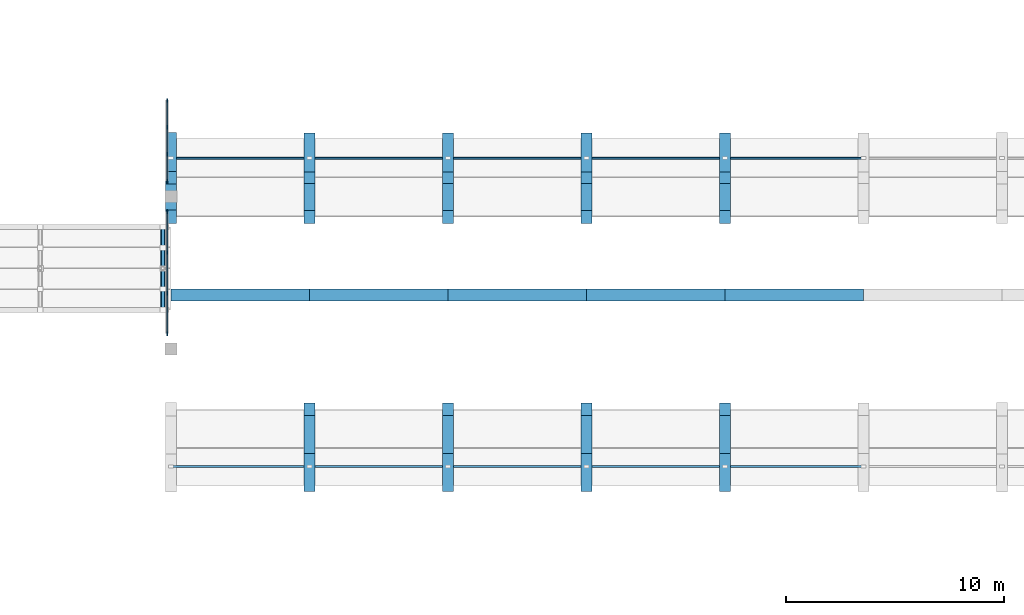
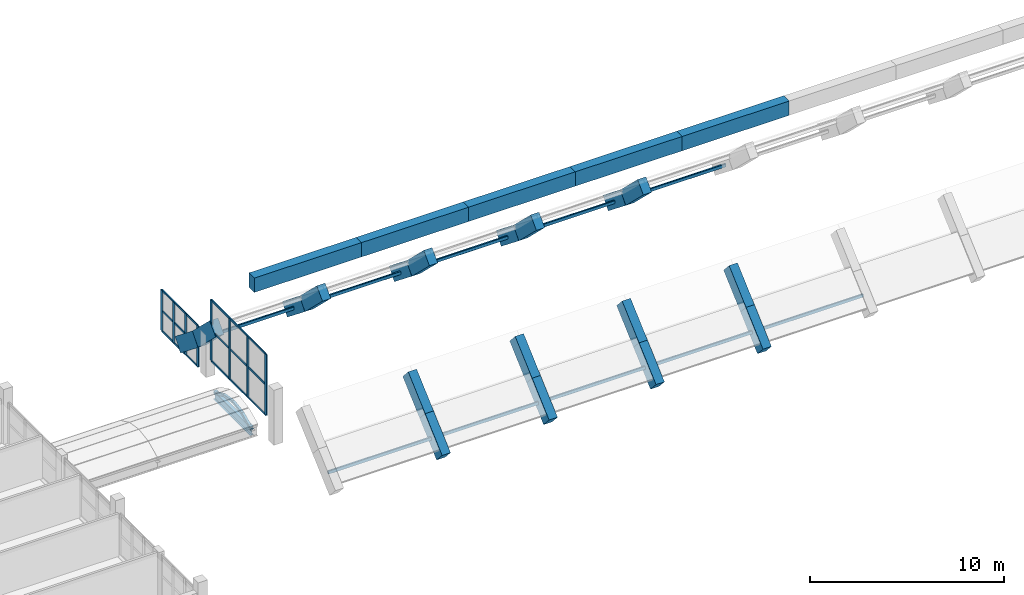
# One storey, part 5 of 48: 46 members, 6 beams, 2 elements without a shape of their own.
"""IFC4 building model written with IfcOpenShell, lengths in metres."""

from ifc_helpers import new_model, si_unit, direction, frame, origin, origin_2d, place, context, subcontext, project, spatial, rectangle, hollow_rectangle, i_section, extrude, material, layer, layer_set, material_profile, profile_set, type_object, element, aggregate, save


model = new_model("IFC4")

# Units and contexts
model_context = context("Model", 3, precision=1e-05, world=origin(), true_north=direction((0.0, 1.0)))
body_context = subcontext(model_context, "Body", "Model", "MODEL_VIEW")
ifc_project = project(units=[si_unit("LENGTHUNIT", "METRE"), si_unit("AREAUNIT", "SQUARE_METRE"), si_unit("VOLUMEUNIT", "CUBIC_METRE"), si_unit("PLANEANGLEUNIT", "RADIAN"), si_unit("MASSUNIT", "GRAM", prefix="KILO")], contexts=[model_context])

# Site, building, storey
site_placement = place(None, origin())
site = spatial("IfcSite", under=ifc_project, at=site_placement, CompositionType="ELEMENT")
building_placement = place(site_placement, origin())
building = spatial("IfcBuilding", under=site, at=building_placement, Name="Trellovar Central Fire Station", CompositionType="ELEMENT")
storey_placement = place(building_placement, frame((0.0, 0.0, 9.300048828125)))
storey = spatial("IfcBuildingStorey", under=building, at=storey_placement, Name="L03", CompositionType="ELEMENT", Elevation=9.300048828125)

# Beams
ifc_material_1 = material(Name="Concrete C40/50", Category="concrete")
ifc_material_profile_1 = material_profile(ifc_material_1, rectangle(XDim=0.550048828125, YDim=0.89990234375, at=origin_2d()), Name="RC550X900")
ifc_profile_set_1 = profile_set([ifc_material_profile_1], Name="Concrete C40/50")
beam_type_1 = type_object("IfcBeamType", Name="BM-RG3", PredefinedType="BEAM", material=ifc_profile_set_1)
beam_1_placement = place(storey_placement, frame((35.0, 24.47998046875, 8.449951171875), z_axis=(1.0, 0.0, 0.0), x_axis=(0.0, 1.0, 0.0)))
element("IfcBeam", 1, at=beam_1_placement, inside=storey, type_object=beam_type_1, Name="V1 vault crest ridge beam", PredefinedType="BEAM", context=body_context, shape_type="SweptSolid", body=[
    extrude(rectangle(XDim=0.550048828125, YDim=0.89990234375, at=origin_2d()), origin(), (0.0, 0.0, 1.0), 6.35009765625),
])
beam_2_placement = place(storey_placement, frame((41.35009765625, 24.47998046875, 8.449951171875), z_axis=(1.0, 0.0, 0.0), x_axis=(0.0, 1.0, 0.0)))
element("IfcBeam", 2, at=beam_2_placement, inside=storey, type_object=beam_type_1, Name="V1 vault crest ridge beam", PredefinedType="BEAM", context=body_context, shape_type="SweptSolid", body=[
    extrude(rectangle(XDim=0.550048828125, YDim=0.89990234375, at=origin_2d()), origin(), (0.0, 0.0, 1.0), 6.349853515625),
])
beam_3_placement = place(storey_placement, frame((47.699951171875, 24.47998046875, 8.449951171875), z_axis=(1.0, 0.0, 0.0), x_axis=(0.0, 1.0, 0.0)))
element("IfcBeam", 3, at=beam_3_placement, inside=storey, type_object=beam_type_1, Name="V1 vault crest ridge beam", PredefinedType="BEAM", context=body_context, shape_type="SweptSolid", body=[
    extrude(rectangle(XDim=0.550048828125, YDim=0.89990234375, at=origin_2d()), origin(), (0.0, 0.0, 1.0), 6.35009765625),
])
beam_4_placement = place(storey_placement, frame((54.050048828125, 24.47998046875, 8.449951171875), z_axis=(1.0, 0.0, 0.0), x_axis=(0.0, 1.0, 0.0)))
element("IfcBeam", 4, at=beam_4_placement, inside=storey, type_object=beam_type_1, Name="V1 vault crest ridge beam", PredefinedType="BEAM", context=body_context, shape_type="SweptSolid", body=[
    extrude(rectangle(XDim=0.550048828125, YDim=0.89990234375, at=origin_2d()), origin(), (0.0, 0.0, 1.0), 6.349853515625),
])
beam_5_placement = place(storey_placement, frame((60.39990234375, 24.47998046875, 8.449951171875), z_axis=(1.0, 0.0, 0.0), x_axis=(0.0, 1.0, 0.0)))
element("IfcBeam", 5, at=beam_5_placement, inside=storey, type_object=beam_type_1, Name="V1 vault crest ridge beam", PredefinedType="BEAM", context=body_context, shape_type="SweptSolid", body=[
    extrude(rectangle(XDim=0.550048828125, YDim=0.89990234375, at=origin_2d()), origin(), (0.0, 0.0, 1.0), 6.35009765625),
])
ifc_material_2 = material(Name="Steel ASTM A992 Grade 50", Category="steel")
ifc_material_profile_2 = material_profile(ifc_material_2, i_section(OverallWidth=0.209228515625, OverallDepth=0.533447265625, WebThickness=0.01025390625, FlangeThickness=0.015625, FilletRadius=0.013916015625, at=origin_2d()), Name="W21X62")
ifc_profile_set_2 = profile_set([ifc_material_profile_2], Name="Steel ASTM A992 Grade 50")
beam_type_2 = type_object("IfcBeamType", Name="BM-SW7", PredefinedType="BEAM", material=ifc_profile_set_2)
beam_6_placement = place(storey_placement, frame((34.6201171875, 23.800048828125, -0.316650390625), z_axis=(0.0, 1.0, 0.0), x_axis=(-1.0, 0.0, 0.0)))
element("IfcBeam", 6, at=beam_6_placement, inside=storey, type_object=beam_type_2, Name="Cloister bridge roof tie X=34.6", PredefinedType="BEAM", context=body_context, shape_type="SweptSolid", body=[
    extrude(i_section(OverallWidth=0.209228515625, OverallDepth=0.533447265625, WebThickness=0.01025390625, FlangeThickness=0.015625, FilletRadius=0.013916015625, at=origin_2d()), origin(), (0.0, 0.0, 1.0), 3.800048828125),
])

# Curtain wall, members
ifc_material_3 = material(Name="Thermally broken bronze anodized aluminum", Category="aluminium")
ifc_layer_1 = layer(ifc_material_3, 0.159912109375)
ifc_layer_set_1 = layer_set([ifc_layer_1], Name="Thermally broken bronze anodized aluminum")
curtain_wall_type_1 = type_object("IfcCurtainWallType", Name="CW-04", PredefinedType="NOTDEFINED", material=ifc_layer_set_1)
curtain_wall_1_placement = place(storey_placement, origin())
curtain_wall_1 = element("IfcCurtainWall", 7, at=curtain_wall_1_placement, inside=storey, type_object=curtain_wall_type_1, Name="V1 W ski-jump gable clerestory 2", PredefinedType="NOTDEFINED")
ifc_material_4 = material(Name="Thermally broken bronze anodized aluminum", Category="aluminium")
ifc_material_profile_3 = material_profile(ifc_material_4, rectangle(XDim=0.06494140625, YDim=0.175048828125, at=origin_2d()), Name="ALU65X175")
ifc_profile_set_3 = profile_set([ifc_material_profile_3], Name="Thermally broken bronze anodized aluminum")
member_type_1 = type_object("IfcMemberType", Name="CWM-2", PredefinedType="MULLION", material=ifc_profile_set_3)
member_1_placement = place(storey_placement, frame((34.820068359375, 22.699951171875, 1.300048828125), z_axis=(0.0, 0.0, 1.0), x_axis=(1.0, 0.0, 0.0)))
member_1 = element("IfcMember", 8, at=member_1_placement, type_object=member_type_1, Name="CW3-L03-0012 mullion 1", PredefinedType="MULLION", context=body_context, shape_type="SweptSolid", body=[
    extrude(rectangle(XDim=0.06494140625, YDim=0.175048828125, at=origin_2d()), origin(), (0.0, 0.0, 1.0), 3.7998046875),
])
member_2_placement = place(storey_placement, frame((34.820068359375, 24.566650390625, 1.300048828125), z_axis=(0.0, 0.0, 1.0), x_axis=(1.0, 0.0, 0.0)))
member_2 = element("IfcMember", 9, at=member_2_placement, type_object=member_type_1, Name="CW3-L03-0012 mullion 2", PredefinedType="MULLION", context=body_context, shape_type="SweptSolid", body=[
    extrude(rectangle(XDim=0.06494140625, YDim=0.175048828125, at=origin_2d()), origin(), (0.0, 0.0, 1.0), 3.7998046875),
])
member_3_placement = place(storey_placement, frame((34.820068359375, 26.433349609375, 1.300048828125), z_axis=(0.0, 0.0, 1.0), x_axis=(1.0, 0.0, 0.0)))
member_3 = element("IfcMember", 10, at=member_3_placement, type_object=member_type_1, Name="CW3-L03-0012 mullion 3", PredefinedType="MULLION", context=body_context, shape_type="SweptSolid", body=[
    extrude(rectangle(XDim=0.06494140625, YDim=0.175048828125, at=origin_2d()), origin(), (0.0, 0.0, 1.0), 3.7998046875),
])
member_4_placement = place(storey_placement, frame((34.820068359375, 28.300048828125, 1.300048828125), z_axis=(0.0, 0.0, 1.0), x_axis=(1.0, 0.0, 0.0)))
member_4 = element("IfcMember", 11, at=member_4_placement, type_object=member_type_1, Name="CW3-L03-0012 mullion 4", PredefinedType="MULLION", context=body_context, shape_type="SweptSolid", body=[
    extrude(rectangle(XDim=0.06494140625, YDim=0.175048828125, at=origin_2d()), origin(), (0.0, 0.0, 1.0), 3.7998046875),
])

ifc_material_5 = material(Name="Thermally broken bronze anodized aluminum", Category="aluminium")
ifc_layer_2 = layer(ifc_material_5, 0.159912109375)
ifc_layer_set_2 = layer_set([ifc_layer_2], Name="Thermally broken bronze anodized aluminum")
curtain_wall_type_2 = type_object("IfcCurtainWallType", Name="CW-08", PredefinedType="NOTDEFINED", material=ifc_layer_set_2)
curtain_wall_2_placement = place(storey_placement, origin())
curtain_wall_2 = element("IfcCurtainWall", 12, at=curtain_wall_2_placement, inside=storey, type_object=curtain_wall_type_2, Name="V1 W ski-jump gable clerestory 3", PredefinedType="NOTDEFINED")
member_5_placement = place(storey_placement, frame((34.820068359375, 29.699951171875, 0.099853515625), z_axis=(0.0, 0.0, 1.0), x_axis=(1.0, 0.0, 0.0)))
member_5 = element("IfcMember", 13, at=member_5_placement, type_object=member_type_1, Name="CW3-L03-0013 mullion 1", PredefinedType="MULLION", context=body_context, shape_type="SweptSolid", body=[
    extrude(rectangle(XDim=0.06494140625, YDim=0.175048828125, at=origin_2d()), origin(), (0.0, 0.0, 1.0), 2.550048828125),
])
member_6_placement = place(storey_placement, frame((34.820068359375, 30.933349609375, 0.099853515625), z_axis=(0.0, 0.0, 1.0), x_axis=(1.0, 0.0, 0.0)))
member_6 = element("IfcMember", 14, at=member_6_placement, type_object=member_type_1, Name="CW3-L03-0013 mullion 2", PredefinedType="MULLION", context=body_context, shape_type="SweptSolid", body=[
    extrude(rectangle(XDim=0.06494140625, YDim=0.175048828125, at=origin_2d()), origin(), (0.0, 0.0, 1.0), 2.550048828125),
])
member_7_placement = place(storey_placement, frame((34.820068359375, 32.166748046875, 0.099853515625), z_axis=(0.0, 0.0, 1.0), x_axis=(1.0, 0.0, 0.0)))
member_7 = element("IfcMember", 15, at=member_7_placement, type_object=member_type_1, Name="CW3-L03-0013 mullion 3", PredefinedType="MULLION", context=body_context, shape_type="SweptSolid", body=[
    extrude(rectangle(XDim=0.06494140625, YDim=0.175048828125, at=origin_2d()), origin(), (0.0, 0.0, 1.0), 2.550048828125),
])
member_8_placement = place(storey_placement, frame((34.820068359375, 33.39990234375, 0.099853515625), z_axis=(0.0, 0.0, 1.0), x_axis=(1.0, 0.0, 0.0)))
member_8 = element("IfcMember", 16, at=member_8_placement, type_object=member_type_1, Name="CW3-L03-0013 mullion 4", PredefinedType="MULLION", context=body_context, shape_type="SweptSolid", body=[
    extrude(rectangle(XDim=0.06494140625, YDim=0.175048828125, at=origin_2d()), origin(), (0.0, 0.0, 1.0), 2.550048828125),
])

# Member
ifc_material_6 = material(Name="Thermally broken bronze anodized aluminum", Category="aluminium")
ifc_material_profile_4 = material_profile(ifc_material_6, rectangle(XDim=0.06005859375, YDim=0.1201171875, at=origin_2d()), Name="ALU60X120")
ifc_profile_set_4 = profile_set([ifc_material_profile_4], Name="Thermally broken bronze anodized aluminum")
member_type_2 = type_object("IfcMemberType", Name="CWT-2", PredefinedType="USERDEFINED", material=ifc_profile_set_4)
member_9_placement = place(storey_placement, frame((34.820068359375, 22.699951171875, 1.300048828125), z_axis=(0.0, 1.0, 0.0), x_axis=(-1.0, 0.0, 0.0)))
member_9 = element("IfcMember", 17, at=member_9_placement, type_object=member_type_2, Name="CW3-L03-0012 transom 1", ObjectType="TRANSOM", PredefinedType="USERDEFINED", context=body_context, shape_type="SweptSolid", body=[
    extrude(rectangle(XDim=0.06005859375, YDim=0.1201171875, at=origin_2d()), origin(), (0.0, 0.0, 1.0), 5.60009765625),
])

member_10_placement = place(storey_placement, frame((34.820068359375, 22.699951171875, 3.199951171875), z_axis=(0.0, 1.0, 0.0), x_axis=(-1.0, 0.0, 0.0)))
member_10 = element("IfcMember", 18, at=member_10_placement, type_object=member_type_2, Name="CW3-L03-0012 transom 2", ObjectType="TRANSOM", PredefinedType="USERDEFINED", context=body_context, shape_type="SweptSolid", body=[
    extrude(rectangle(XDim=0.06005859375, YDim=0.1201171875, at=origin_2d()), origin(), (0.0, 0.0, 1.0), 5.60009765625),
])

member_11_placement = place(storey_placement, frame((34.820068359375, 22.699951171875, 5.099853515625), z_axis=(0.0, 1.0, 0.0), x_axis=(-1.0, 0.0, 0.0)))
member_11 = element("IfcMember", 19, at=member_11_placement, type_object=member_type_2, Name="CW3-L03-0012 transom 3", ObjectType="TRANSOM", PredefinedType="USERDEFINED", context=body_context, shape_type="SweptSolid", body=[
    extrude(rectangle(XDim=0.06005859375, YDim=0.1201171875, at=origin_2d()), origin(), (0.0, 0.0, 1.0), 5.60009765625),
])

aggregate(curtain_wall_1, [member_1, member_2, member_3, member_4, member_9, member_10, member_11])

member_12_placement = place(storey_placement, frame((34.820068359375, 29.699951171875, 0.099853515625), z_axis=(0.0, 1.0, 0.0), x_axis=(-1.0, 0.0, 0.0)))
member_12 = element("IfcMember", 20, at=member_12_placement, type_object=member_type_2, Name="CW3-L03-0013 transom 1", ObjectType="TRANSOM", PredefinedType="USERDEFINED", context=body_context, shape_type="SweptSolid", body=[
    extrude(rectangle(XDim=0.06005859375, YDim=0.1201171875, at=origin_2d()), origin(), (0.0, 0.0, 1.0), 3.699951171875),
])

member_13_placement = place(storey_placement, frame((34.820068359375, 29.699951171875, 1.375), z_axis=(0.0, 1.0, 0.0), x_axis=(-1.0, 0.0, 0.0)))
member_13 = element("IfcMember", 21, at=member_13_placement, type_object=member_type_2, Name="CW3-L03-0013 transom 2", ObjectType="TRANSOM", PredefinedType="USERDEFINED", context=body_context, shape_type="SweptSolid", body=[
    extrude(rectangle(XDim=0.06005859375, YDim=0.1201171875, at=origin_2d()), origin(), (0.0, 0.0, 1.0), 3.699951171875),
])

member_14_placement = place(storey_placement, frame((34.820068359375, 29.699951171875, 2.64990234375), z_axis=(0.0, 1.0, 0.0), x_axis=(-1.0, 0.0, 0.0)))
member_14 = element("IfcMember", 22, at=member_14_placement, type_object=member_type_2, Name="CW3-L03-0013 transom 3", ObjectType="TRANSOM", PredefinedType="USERDEFINED", context=body_context, shape_type="SweptSolid", body=[
    extrude(rectangle(XDim=0.06005859375, YDim=0.1201171875, at=origin_2d()), origin(), (0.0, 0.0, 1.0), 3.699951171875),
])

aggregate(curtain_wall_2, [member_5, member_6, member_7, member_8, member_12, member_13, member_14])

# Members
ifc_material_7 = material(Name="Concrete C40/50", Category="concrete")
ifc_material_profile_5 = material_profile(ifc_material_7, rectangle(XDim=0.5, YDim=0.89990234375, at=origin_2d()), Name="RC500X900")
ifc_profile_set_5 = profile_set([ifc_material_profile_5], Name="Concrete C40/50")
member_type_3 = type_object("IfcMemberType", Name="MEM-AR1", PredefinedType="CHORD", material=ifc_profile_set_5)
member_15_placement = place(storey_placement, frame((35.0, 28.066650390625, 3.457275390625), z_axis=(0.0, 0.717773123424, -0.696277059287), x_axis=(-1.0, 0.0, 0.0)))
element("IfcMember", 23, at=member_15_placement, inside=storey, type_object=member_type_3, Name="Parabolic arch rib AR-01 chord 09", PredefinedType="CHORD", context=body_context, shape_type="SweptSolid", body=[
    extrude(rectangle(XDim=0.5, YDim=0.89990234375, at=origin_2d()), origin(), (0.0, 0.0, 1.0), 2.49853515625),
])
member_16_placement = place(storey_placement, frame((35.0, 29.860107421875, 1.717529296875), z_axis=(0.0, 0.782321473021, -0.622874877363), x_axis=(-1.0, 0.0, 0.0)))
element("IfcMember", 24, at=member_16_placement, inside=storey, type_object=member_type_3, Name="Parabolic arch rib AR-01 chord 10", PredefinedType="CHORD", context=body_context, shape_type="SweptSolid", body=[
    extrude(rectangle(XDim=0.5, YDim=0.89990234375, at=origin_2d()), origin(), (0.0, 0.0, 1.0), 2.292236328125),
])
ifc_material_8 = material(Name="Concrete C40/50", Category="concrete")
ifc_material_profile_6 = material_profile(ifc_material_8, rectangle(XDim=0.5, YDim=0.85009765625, at=origin_2d()), Name="RC500X850")
ifc_profile_set_6 = profile_set([ifc_material_profile_6], Name="Concrete C40/50")
member_type_4 = type_object("IfcMemberType", Name="MEM-AR2", PredefinedType="CHORD", material=ifc_profile_set_6)
member_17_placement = place(storey_placement, frame((41.35009765625, 15.74658203125, 0.61669921875), z_axis=(0.0, 0.744457083913, 0.667670315509), x_axis=(-1.0, 0.0, 0.0)))
element("IfcMember", 25, at=member_17_placement, inside=storey, type_object=member_type_4, Name="Parabolic arch rib AR-02 chord 02", PredefinedType="CHORD", context=body_context, shape_type="SweptSolid", body=[
    extrude(rectangle(XDim=0.5, YDim=0.85009765625, at=origin_2d()), origin(), (0.0, 0.0, 1.0), 2.346435546875),
])
member_18_placement = place(storey_placement, frame((41.35009765625, 17.493408203125, 2.183349609375), z_axis=(0.0, 0.744410696022, 0.667722034718), x_axis=(-1.0, 0.0, 0.0)))
element("IfcMember", 26, at=member_18_placement, inside=storey, type_object=member_type_4, Name="Parabolic arch rib AR-02 chord 03", PredefinedType="CHORD", context=body_context, shape_type="SweptSolid", body=[
    extrude(rectangle(XDim=0.5, YDim=0.85009765625, at=origin_2d()), origin(), (0.0, 0.0, 1.0), 2.34619140625),
])
member_19_placement = place(storey_placement, frame((41.35009765625, 28.066650390625, 3.457275390625), z_axis=(0.0, 0.717773123424, -0.696277059287), x_axis=(-1.0, 0.0, 0.0)))
element("IfcMember", 27, at=member_19_placement, inside=storey, type_object=member_type_4, Name="Parabolic arch rib AR-02 chord 09", PredefinedType="CHORD", context=body_context, shape_type="SweptSolid", body=[
    extrude(rectangle(XDim=0.5, YDim=0.85009765625, at=origin_2d()), origin(), (0.0, 0.0, 1.0), 2.49853515625),
])
member_20_placement = place(storey_placement, frame((41.35009765625, 29.860107421875, 1.717529296875), z_axis=(0.0, 0.782321473021, -0.622874877363), x_axis=(-1.0, 0.0, 0.0)))
element("IfcMember", 28, at=member_20_placement, inside=storey, type_object=member_type_4, Name="Parabolic arch rib AR-02 chord 10", PredefinedType="CHORD", context=body_context, shape_type="SweptSolid", body=[
    extrude(rectangle(XDim=0.5, YDim=0.85009765625, at=origin_2d()), origin(), (0.0, 0.0, 1.0), 2.292236328125),
])
member_21_placement = place(storey_placement, frame((47.699951171875, 15.74658203125, 0.61669921875), z_axis=(0.0, 0.744457083913, 0.667670315509), x_axis=(-1.0, 0.0, 0.0)))
element("IfcMember", 29, at=member_21_placement, inside=storey, type_object=member_type_4, Name="Parabolic arch rib AR-03 chord 02", PredefinedType="CHORD", context=body_context, shape_type="SweptSolid", body=[
    extrude(rectangle(XDim=0.5, YDim=0.85009765625, at=origin_2d()), origin(), (0.0, 0.0, 1.0), 2.346435546875),
])
member_22_placement = place(storey_placement, frame((47.699951171875, 17.493408203125, 2.183349609375), z_axis=(0.0, 0.744410696022, 0.667722034718), x_axis=(-1.0, 0.0, 0.0)))
element("IfcMember", 30, at=member_22_placement, inside=storey, type_object=member_type_4, Name="Parabolic arch rib AR-03 chord 03", PredefinedType="CHORD", context=body_context, shape_type="SweptSolid", body=[
    extrude(rectangle(XDim=0.5, YDim=0.85009765625, at=origin_2d()), origin(), (0.0, 0.0, 1.0), 2.34619140625),
])
member_23_placement = place(storey_placement, frame((47.699951171875, 28.066650390625, 3.457275390625), z_axis=(0.0, 0.717773123424, -0.696277059287), x_axis=(-1.0, 0.0, 0.0)))
element("IfcMember", 31, at=member_23_placement, inside=storey, type_object=member_type_4, Name="Parabolic arch rib AR-03 chord 09", PredefinedType="CHORD", context=body_context, shape_type="SweptSolid", body=[
    extrude(rectangle(XDim=0.5, YDim=0.85009765625, at=origin_2d()), origin(), (0.0, 0.0, 1.0), 2.49853515625),
])
member_24_placement = place(storey_placement, frame((47.699951171875, 29.860107421875, 1.717529296875), z_axis=(0.0, 0.782321473021, -0.622874877363), x_axis=(-1.0, 0.0, 0.0)))
element("IfcMember", 32, at=member_24_placement, inside=storey, type_object=member_type_4, Name="Parabolic arch rib AR-03 chord 10", PredefinedType="CHORD", context=body_context, shape_type="SweptSolid", body=[
    extrude(rectangle(XDim=0.5, YDim=0.85009765625, at=origin_2d()), origin(), (0.0, 0.0, 1.0), 2.292236328125),
])
member_25_placement = place(storey_placement, frame((54.050048828125, 15.74658203125, 0.61669921875), z_axis=(0.0, 0.744457083913, 0.667670315509), x_axis=(-1.0, 0.0, 0.0)))
element("IfcMember", 33, at=member_25_placement, inside=storey, type_object=member_type_4, Name="Parabolic arch rib AR-04 chord 02", PredefinedType="CHORD", context=body_context, shape_type="SweptSolid", body=[
    extrude(rectangle(XDim=0.5, YDim=0.85009765625, at=origin_2d()), origin(), (0.0, 0.0, 1.0), 2.346435546875),
])
member_26_placement = place(storey_placement, frame((54.050048828125, 17.493408203125, 2.183349609375), z_axis=(0.0, 0.744410696022, 0.667722034718), x_axis=(-1.0, 0.0, 0.0)))
element("IfcMember", 34, at=member_26_placement, inside=storey, type_object=member_type_4, Name="Parabolic arch rib AR-04 chord 03", PredefinedType="CHORD", context=body_context, shape_type="SweptSolid", body=[
    extrude(rectangle(XDim=0.5, YDim=0.85009765625, at=origin_2d()), origin(), (0.0, 0.0, 1.0), 2.34619140625),
])
member_27_placement = place(storey_placement, frame((54.050048828125, 28.066650390625, 3.457275390625), z_axis=(0.0, 0.717773123424, -0.696277059287), x_axis=(-1.0, 0.0, 0.0)))
element("IfcMember", 35, at=member_27_placement, inside=storey, type_object=member_type_4, Name="Parabolic arch rib AR-04 chord 09", PredefinedType="CHORD", context=body_context, shape_type="SweptSolid", body=[
    extrude(rectangle(XDim=0.5, YDim=0.85009765625, at=origin_2d()), origin(), (0.0, 0.0, 1.0), 2.49853515625),
])
member_28_placement = place(storey_placement, frame((54.050048828125, 29.860107421875, 1.717529296875), z_axis=(0.0, 0.782321473021, -0.622874877363), x_axis=(-1.0, 0.0, 0.0)))
element("IfcMember", 36, at=member_28_placement, inside=storey, type_object=member_type_4, Name="Parabolic arch rib AR-04 chord 10", PredefinedType="CHORD", context=body_context, shape_type="SweptSolid", body=[
    extrude(rectangle(XDim=0.5, YDim=0.85009765625, at=origin_2d()), origin(), (0.0, 0.0, 1.0), 2.292236328125),
])
member_29_placement = place(storey_placement, frame((60.39990234375, 15.74658203125, 0.61669921875), z_axis=(0.0, 0.744457083913, 0.667670315509), x_axis=(-1.0, 0.0, 0.0)))
element("IfcMember", 37, at=member_29_placement, inside=storey, type_object=member_type_4, Name="Parabolic arch rib AR-05 chord 02", PredefinedType="CHORD", context=body_context, shape_type="SweptSolid", body=[
    extrude(rectangle(XDim=0.5, YDim=0.85009765625, at=origin_2d()), origin(), (0.0, 0.0, 1.0), 2.346435546875),
])
member_30_placement = place(storey_placement, frame((60.39990234375, 17.493408203125, 2.183349609375), z_axis=(0.0, 0.744410696022, 0.667722034718), x_axis=(-1.0, 0.0, 0.0)))
element("IfcMember", 38, at=member_30_placement, inside=storey, type_object=member_type_4, Name="Parabolic arch rib AR-05 chord 03", PredefinedType="CHORD", context=body_context, shape_type="SweptSolid", body=[
    extrude(rectangle(XDim=0.5, YDim=0.85009765625, at=origin_2d()), origin(), (0.0, 0.0, 1.0), 2.34619140625),
])
member_31_placement = place(storey_placement, frame((60.39990234375, 28.066650390625, 3.457275390625), z_axis=(0.0, 0.717773123424, -0.696277059287), x_axis=(-1.0, 0.0, 0.0)))
element("IfcMember", 39, at=member_31_placement, inside=storey, type_object=member_type_4, Name="Parabolic arch rib AR-05 chord 09", PredefinedType="CHORD", context=body_context, shape_type="SweptSolid", body=[
    extrude(rectangle(XDim=0.5, YDim=0.85009765625, at=origin_2d()), origin(), (0.0, 0.0, 1.0), 2.49853515625),
])
member_32_placement = place(storey_placement, frame((60.39990234375, 29.860107421875, 1.717529296875), z_axis=(0.0, 0.782321473021, -0.622874877363), x_axis=(-1.0, 0.0, 0.0)))
element("IfcMember", 40, at=member_32_placement, inside=storey, type_object=member_type_4, Name="Parabolic arch rib AR-05 chord 10", PredefinedType="CHORD", context=body_context, shape_type="SweptSolid", body=[
    extrude(rectangle(XDim=0.5, YDim=0.85009765625, at=origin_2d()), origin(), (0.0, 0.0, 1.0), 2.292236328125),
])
ifc_material_9 = material(Name="Steel ASTM A500 Grade C", Category="steel")
ifc_material_profile_7 = material_profile(ifc_material_9, hollow_rectangle(XDim=0.15234375, YDim=0.15234375, WallThickness=0.0087890625, InnerFilletRadius=0.0087890625, OuterFilletRadius=0.017822265625, at=origin_2d()), Name="HSS6X6X3/8")
ifc_profile_set_7 = profile_set([ifc_material_profile_7], Name="Steel ASTM A500 Grade C")
member_type_5 = type_object("IfcMemberType", Name="MEM-CH2", PredefinedType="CHORD", material=ifc_profile_set_7)
member_33_placement = place(storey_placement, frame((34.6201171875, 23.800048828125, -0.22998046875), z_axis=(0.0, 0.903747297472, 0.428066376058), x_axis=(-1.0, 0.0, 0.0)))
element("IfcMember", 41, at=member_33_placement, inside=storey, type_object=member_type_5, Name="Cloister bridge Catalan vault arch rib", PredefinedType="CHORD", context=body_context, shape_type="SweptSolid", body=[
    extrude(hollow_rectangle(XDim=0.15234375, YDim=0.15234375, WallThickness=0.0087890625, InnerFilletRadius=0.0087890625, OuterFilletRadius=0.017822265625, at=origin_2d()), origin(), (0.0, 0.0, 1.0), 1.051025390625),
])
for number, where, z_axis, x_axis, name in (
    (42, (34.6201171875, 24.75, 0.219970703125), (0.0, 0.987777369502, 0.15587131968), (-1.0, 0.0, 0.0), "Cloister bridge Catalan vault arch rib"),
    (43, (34.6201171875, 25.699951171875, 0.369873046875), (0.0, 0.987777369502, -0.15587131968), (-1.0, 0.0, 0.0), "Cloister bridge Catalan vault arch rib"),
):
    element("IfcMember", number, at=place(storey_placement, frame(where, z_axis=z_axis, x_axis=x_axis)), inside=storey, type_object=member_type_5, Name=name, PredefinedType="CHORD", context=body_context, shape_type="SweptSolid", body=[
        extrude(hollow_rectangle(XDim=0.15234375, YDim=0.15234375, WallThickness=0.0087890625, InnerFilletRadius=0.0087890625, OuterFilletRadius=0.017822265625, at=origin_2d()), origin(), (0.0, 0.0, 1.0), 0.961669921875),
    ])
member_34_placement = place(storey_placement, frame((34.6201171875, 26.64990234375, 0.219970703125), z_axis=(0.0, 0.903789844702, -0.427976537458), x_axis=(-1.0, 0.0, 0.0)))
element("IfcMember", 44, at=member_34_placement, inside=storey, type_object=member_type_5, Name="Cloister bridge Catalan vault arch rib", PredefinedType="CHORD", context=body_context, shape_type="SweptSolid", body=[
    extrude(hollow_rectangle(XDim=0.15234375, YDim=0.15234375, WallThickness=0.0087890625, InnerFilletRadius=0.0087890625, OuterFilletRadius=0.017822265625, at=origin_2d()), origin(), (0.0, 0.0, 1.0), 1.05126953125),
])
ifc_material_10 = material(Name="Steel ASTM A500 Grade C", Category="steel")
ifc_material_profile_8 = material_profile(ifc_material_10, hollow_rectangle(XDim=0.1015625, YDim=0.203125, WallThickness=0.0087890625, InnerFilletRadius=0.0087890625, OuterFilletRadius=0.017822265625, at=origin_2d()), Name="HSS8X4X3/8")
ifc_profile_set_8 = profile_set([ifc_material_profile_8], Name="Steel ASTM A500 Grade C")
member_type_6 = type_object("IfcMemberType", Name="MEM-PU1", PredefinedType="PURLIN", material=ifc_profile_set_8)
for number, where, z_axis, x_axis, name in (
    (45, (35.0, 16.6201171875, 1.31005859375), (1.0, 0.0, 0.0), (0.0, 1.0, 0.0), "Vault purlin V1-01-02"),
    (46, (35.0, 30.756591796875, 0.913818359375), (1.0, 0.0, 0.0), (0.0, 1.0, 0.0), "Vault purlin V1-01-10"),
):
    element("IfcMember", number, at=place(storey_placement, frame(where, z_axis=z_axis, x_axis=x_axis)), inside=storey, type_object=member_type_6, Name=name, PredefinedType="PURLIN", context=body_context, shape_type="SweptSolid", body=[
        extrude(hollow_rectangle(XDim=0.1015625, YDim=0.203125, WallThickness=0.0087890625, InnerFilletRadius=0.0087890625, OuterFilletRadius=0.017822265625, at=origin_2d()), origin(), (0.0, 0.0, 1.0), 6.35009765625),
    ])
for number, where, z_axis, x_axis, name in (
    (47, (41.35009765625, 16.6201171875, 1.31005859375), (1.0, 0.0, 0.0), (0.0, 1.0, 0.0), "Vault purlin V1-02-02"),
    (48, (41.35009765625, 30.756591796875, 0.913818359375), (1.0, 0.0, 0.0), (0.0, 1.0, 0.0), "Vault purlin V1-02-10"),
):
    element("IfcMember", number, at=place(storey_placement, frame(where, z_axis=z_axis, x_axis=x_axis)), inside=storey, type_object=member_type_6, Name=name, PredefinedType="PURLIN", context=body_context, shape_type="SweptSolid", body=[
        extrude(hollow_rectangle(XDim=0.1015625, YDim=0.203125, WallThickness=0.0087890625, InnerFilletRadius=0.0087890625, OuterFilletRadius=0.017822265625, at=origin_2d()), origin(), (0.0, 0.0, 1.0), 6.349853515625),
    ])
for number, where, z_axis, x_axis, name in (
    (49, (47.699951171875, 16.6201171875, 1.31005859375), (1.0, 0.0, 0.0), (0.0, 1.0, 0.0), "Vault purlin V1-03-02"),
    (50, (47.699951171875, 30.756591796875, 0.913818359375), (1.0, 0.0, 0.0), (0.0, 1.0, 0.0), "Vault purlin V1-03-10"),
):
    element("IfcMember", number, at=place(storey_placement, frame(where, z_axis=z_axis, x_axis=x_axis)), inside=storey, type_object=member_type_6, Name=name, PredefinedType="PURLIN", context=body_context, shape_type="SweptSolid", body=[
        extrude(hollow_rectangle(XDim=0.1015625, YDim=0.203125, WallThickness=0.0087890625, InnerFilletRadius=0.0087890625, OuterFilletRadius=0.017822265625, at=origin_2d()), origin(), (0.0, 0.0, 1.0), 6.35009765625),
    ])
for number, where, z_axis, x_axis, name in (
    (51, (54.050048828125, 16.6201171875, 1.31005859375), (1.0, 0.0, 0.0), (0.0, 1.0, 0.0), "Vault purlin V1-04-02"),
    (52, (54.050048828125, 30.756591796875, 0.913818359375), (1.0, 0.0, 0.0), (0.0, 1.0, 0.0), "Vault purlin V1-04-10"),
):
    element("IfcMember", number, at=place(storey_placement, frame(where, z_axis=z_axis, x_axis=x_axis)), inside=storey, type_object=member_type_6, Name=name, PredefinedType="PURLIN", context=body_context, shape_type="SweptSolid", body=[
        extrude(hollow_rectangle(XDim=0.1015625, YDim=0.203125, WallThickness=0.0087890625, InnerFilletRadius=0.0087890625, OuterFilletRadius=0.017822265625, at=origin_2d()), origin(), (0.0, 0.0, 1.0), 6.349853515625),
    ])
for number, where, z_axis, x_axis, name in (
    (53, (60.39990234375, 16.6201171875, 1.31005859375), (1.0, 0.0, 0.0), (0.0, 1.0, 0.0), "Vault purlin V1-05-02"),
    (54, (60.39990234375, 30.756591796875, 0.913818359375), (1.0, 0.0, 0.0), (0.0, 1.0, 0.0), "Vault purlin V1-05-10"),
):
    element("IfcMember", number, at=place(storey_placement, frame(where, z_axis=z_axis, x_axis=x_axis)), inside=storey, type_object=member_type_6, Name=name, PredefinedType="PURLIN", context=body_context, shape_type="SweptSolid", body=[
        extrude(hollow_rectangle(XDim=0.1015625, YDim=0.203125, WallThickness=0.0087890625, InnerFilletRadius=0.0087890625, OuterFilletRadius=0.017822265625, at=origin_2d()), origin(), (0.0, 0.0, 1.0), 6.35009765625),
    ])

save(model, "model.ifc")
